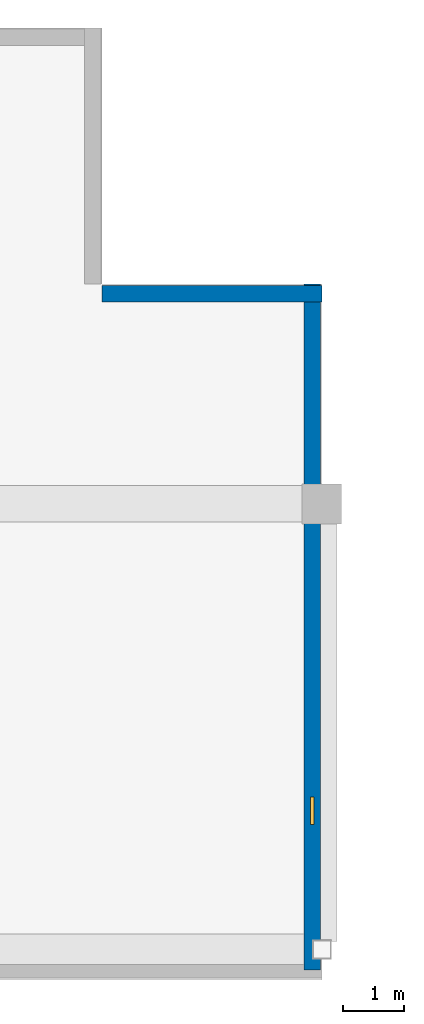
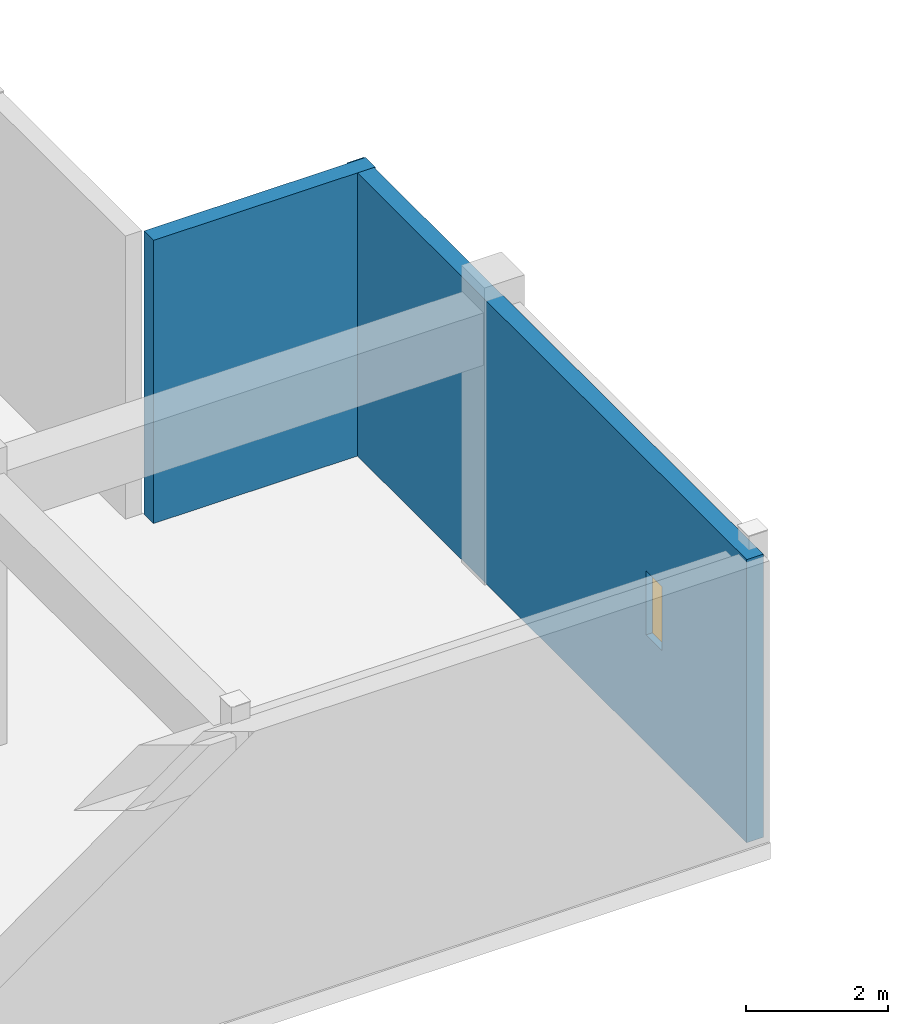
# One storey, part 87 of 103: 2 walls, 1 window, 1 opening.
"""IFC4 building model written with IfcOpenShell, lengths in metres."""

from ifc_helpers import new_model, si_unit, direction, frame, frame_2d, origin, place, context, subcontext, project, spatial, rectangle, extrude, material, layer, layer_set, type_object, element, fill, save


model = new_model("IFC4")

# Units and contexts
model_context = context("Model", 3, precision=1e-05, world=origin(), true_north=direction((0.0, 1.0)))
body_context = subcontext(model_context, "Body", "Model", "MODEL_VIEW")
ifc_project = project(units=[si_unit("LENGTHUNIT", "METRE"), si_unit("AREAUNIT", "SQUARE_METRE"), si_unit("VOLUMEUNIT", "CUBIC_METRE"), si_unit("PLANEANGLEUNIT", "RADIAN"), si_unit("MASSUNIT", "GRAM", prefix="KILO")], contexts=[model_context])

# Site, building, storey
site_placement = place(None, origin())
site = spatial("IfcSite", under=ifc_project, at=site_placement, CompositionType="ELEMENT")
building_placement = place(site_placement, origin())
building = spatial("IfcBuilding", under=site, at=building_placement, Name="Quendrovan Civic Courthouse", CompositionType="ELEMENT")
storey_placement = place(building_placement, frame((0.0, 0.0, 15.300048828125)))
storey = spatial("IfcBuildingStorey", under=building, at=storey_placement, Name="L04", CompositionType="ELEMENT", Elevation=15.300048828125)

# Wall
ifc_material_1 = material(Name="Concrete C40/50", Category="concrete")
ifc_layer = layer(ifc_material_1, 0.27001953125, Name="Concrete C40/50")
ifc_layer_set = layer_set([ifc_layer], Name="Concrete C40/50")
wall_type = type_object("IfcWallType", Name="WL-EXT-RC270", PredefinedType="SOLIDWALL", material=ifc_layer_set)
wall_1_placement = place(storey_placement, frame((63.60009765625, 11.2451171875, 0.0), z_axis=(0.0, 0.0, 1.0), x_axis=(1.0, 0.0, 0.0)))
element("IfcWall", 1, at=wall_1_placement, inside=storey, type_object=wall_type, Name="L04 Exterior Precast Concrete Wall 355", PredefinedType="SOLIDWALL", context=body_context, shape_type="SweptSolid", body=[
    extrude(rectangle(XDim=3.599853515625, YDim=0.27001953125, at=frame_2d((1.7998046875, 0.0))), origin(), (0.0, 0.0, 1.0), 4.85986328125),
])

# Wall, opening, window
wall_2_placement = place(storey_placement, frame((67.044921875, 11.39990234375, 0.0), z_axis=(0.0, 0.0, 1.0), x_axis=(0.0, -1.0, 0.0)))
wall_2 = element("IfcWall", 2, at=wall_2_placement, inside=storey, type_object=wall_type, Name="L04 Exterior Precast Concrete Wall 356", PredefinedType="SOLIDWALL", context=body_context, shape_type="SweptSolid", body=[
    extrude(rectangle(XDim=11.23486328125, YDim=0.27001953125, at=frame_2d((5.617431640625, 0.0))), origin(), (0.0, 0.0, 1.0), 4.85986328125),
])
opening_placement = place(wall_2_placement, frame((8.39990234375, 0.0, 1.85009765625)))
opening = element("IfcOpeningElement", 3, at=opening_placement, cuts=wall_2, Name="Opening WS01", PredefinedType="OPENING", context=body_context, shape_type="SweptSolid", body=[
    extrude(rectangle(XDim=0.449951171875, YDim=1.10009765625, at=frame_2d((0.22509765625, 0.550048828125))), frame((0.0, 0.14501953125, 0.0), z_axis=(0.0, -1.0, 0.0), x_axis=(1.0, 0.0, 0.0)), (0.0, 0.0, 1.0), 0.2900390625),
])
ifc_material_2 = material(Name="Polycarbonate laminated security glass", Category="glass")
window_type = type_object("IfcWindowType", Name="WIN-SEC-SLOT", PartitioningType="SINGLE_PANEL", PredefinedType="WINDOW", material=ifc_material_2)
window_placement = place(opening_placement, origin())
window = element("IfcWindow", 4, at=window_placement, inside=storey, type_object=window_type, Name="L04 Custody High-Sill Security Window 0023", OverallHeight=1.10009765625, OverallWidth=0.449951171875, PartitioningType="SINGLE_PANEL", PredefinedType="WINDOW", context=body_context, shape_type="SweptSolid", body=[
    extrude(rectangle(XDim=0.449951171875, YDim=1.10009765625, at=frame_2d((0.22509765625, 0.550048828125))), frame((0.0, 0.030029296875, 0.0), z_axis=(0.0, -1.0, 0.0), x_axis=(1.0, 0.0, 0.0)), (0.0, 0.0, 1.0), 0.06005859375),
])
fill(opening, window)

save(model, "model.ifc")
